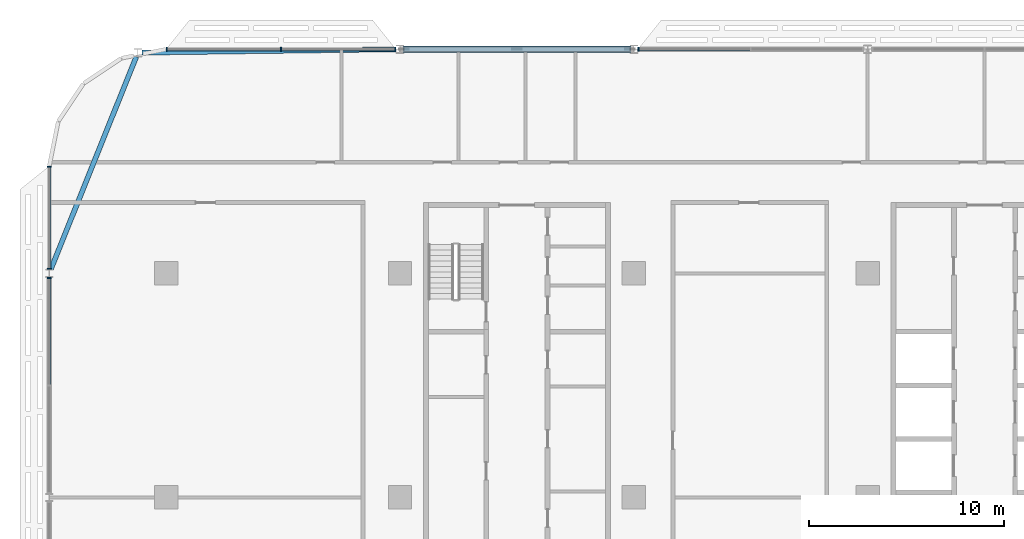
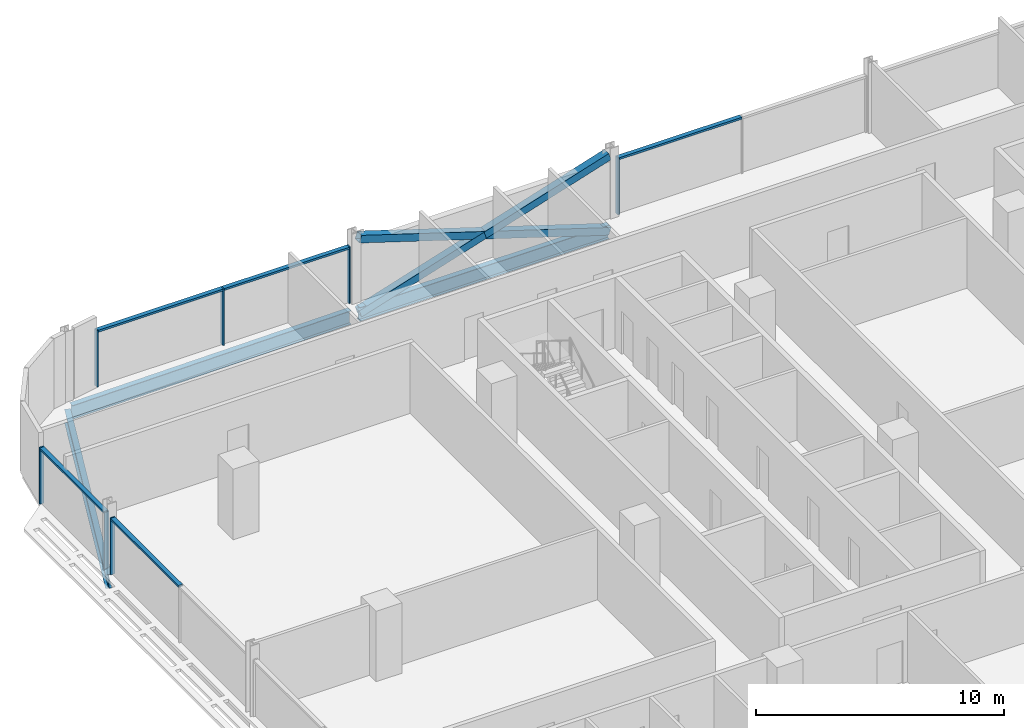
# One storey, part 6 of 27: 15 members, 3 beams, 4 elements without a shape of their own.
"""IFC4 building model written with IfcOpenShell, lengths in metres."""

from ifc_helpers import new_model, si_unit, direction, frame, origin, origin_2d, place, context, subcontext, project, spatial, rectangle, hollow_rectangle, i_section, extrude, material, material_profile, profile_set, type_object, element, aggregate, save


model = new_model("IFC4")

# Units and contexts
model_context = context("Model", 3, precision=1e-05, world=origin(), true_north=direction((0.0, 1.0)))
body_context = subcontext(model_context, "Body", "Model", "MODEL_VIEW")
ifc_project = project(units=[si_unit("LENGTHUNIT", "METRE"), si_unit("AREAUNIT", "SQUARE_METRE"), si_unit("VOLUMEUNIT", "CUBIC_METRE"), si_unit("PLANEANGLEUNIT", "RADIAN"), si_unit("MASSUNIT", "GRAM", prefix="KILO")], contexts=[model_context])

# Site, building, storey
site_placement = place(None, origin())
site = spatial("IfcSite", under=ifc_project, at=site_placement, CompositionType="ELEMENT")
building_placement = place(site_placement, origin())
building = spatial("IfcBuilding", under=site, at=building_placement, Name="Mahtab Terrace Research Tower", CompositionType="ELEMENT")
storey_placement = place(building_placement, frame((0.0, 0.0, 178.199951171875)))
storey = spatial("IfcBuildingStorey", under=building, at=storey_placement, Name="L42", CompositionType="ELEMENT", Elevation=178.199951171875)

# Members
ifc_material_1 = material(Name="Steel ASTM A500 Gr C", Category="steel")
ifc_material_profile_1 = material_profile(ifc_material_1, hollow_rectangle(XDim=0.355712890625, YDim=0.355712890625, WallThickness=0.015869140625, at=origin_2d()), Name="HSS14X14X5/8")
ifc_profile_set_1 = profile_set([ifc_material_profile_1], Name="Steel ASTM A500 Gr C")
member_type_1 = type_object("IfcMemberType", Name="HSS 14x14x5/8 brace XB141458", PredefinedType="BRACE", material=ifc_profile_set_1)
member_1_placement = place(storey_placement, frame((-18.203125, 23.0, -0.61474609375), z_axis=(-0.953341454971, 0.0, 0.301894137463), x_axis=(0.0, -1.0, 0.0)))
element("IfcMember", 1, at=member_1_placement, inside=storey, type_object=member_type_1, Name="Exoskeleton brace L42 06 a", PredefinedType="BRACE", context=body_context, shape_type="SweptSolid", body=[
    extrude(hollow_rectangle(XDim=0.355712890625, YDim=0.355712890625, WallThickness=0.015869140625, at=origin_2d()), origin(), (0.0, 0.0, 1.0), 12.1611328125),
])
for number, where, z_axis, x_axis, name in (
    (2, (-29.796875, 23.0, -0.61474609375), (0.953341454971, 0.0, 0.301894137463), (0.0, 1.0, 0.0), "Exoskeleton brace L42 06 b1"),
    (3, (-24.0, 23.0, 1.220947265625), (0.953341454971, 0.0, 0.301894137463), (0.0, 1.0, 0.0), "Exoskeleton brace L42 06 b2"),
):
    element("IfcMember", number, at=place(storey_placement, frame(where, z_axis=z_axis, x_axis=x_axis)), inside=storey, type_object=member_type_1, Name=name, PredefinedType="BRACE", context=body_context, shape_type="SweptSolid", body=[
        extrude(hollow_rectangle(XDim=0.355712890625, YDim=0.355712890625, WallThickness=0.015869140625, at=origin_2d()), origin(), (0.0, 0.0, 1.0), 6.08056640625),
    ])

# Curtain wall, member
ifc_material_2 = material(Name="Laboratory ribbon curtain wall")
curtain_wall_type = type_object("IfcCurtainWallType", Name="Laboratory ribbon curtain wall", PredefinedType="NOTDEFINED", material=ifc_material_2)
curtain_wall_1_placement = place(storey_placement, origin())
curtain_wall_1 = element("IfcCurtainWall", 4, at=curtain_wall_1_placement, inside=storey, type_object=curtain_wall_type, Name="EN.L42.3.7", PredefinedType="NOTDEFINED")
ifc_material_3 = material(Name="Natural anodised aluminium", Category="aluminium")
ifc_material_profile_2 = material_profile(ifc_material_3, rectangle(XDim=0.199951171875, YDim=0.06494140625, at=origin_2d()), Name="MULLION 65x200")
ifc_profile_set_2 = profile_set([ifc_material_profile_2], Name="Natural anodised aluminium")
member_type_2 = type_object("IfcMemberType", Name="Laboratory ribbon curtain wall mullion", PredefinedType="MULLION", material=ifc_profile_set_2)
member_2_placement = place(storey_placement, frame((-17.759521484375, 23.0, 0.0), z_axis=(0.0, 0.0, 1.0), x_axis=(0.0, -1.0, 0.0)))
member_2 = element("IfcMember", 5, at=member_2_placement, type_object=member_type_2, Name="CWL-5 mullion 3", PredefinedType="MULLION", context=body_context, shape_type="SweptSolid", body=[
    extrude(rectangle(XDim=0.199951171875, YDim=0.06494140625, at=origin_2d()), origin(), (0.0, 0.0, 1.0), 2.78173828125),
])

# Curtain wall, members
curtain_wall_2_placement = place(storey_placement, origin())
curtain_wall_2 = element("IfcCurtainWall", 6, at=curtain_wall_2_placement, inside=storey, type_object=curtain_wall_type, Name="EN.L42.3.9", PredefinedType="NOTDEFINED")
member_3_placement = place(storey_placement, frame((-30.240478515625, 23.0, 0.0), z_axis=(0.0, 0.0, 1.0), x_axis=(0.0, -1.0, 0.0)))
member_3 = element("IfcMember", 7, at=member_3_placement, type_object=member_type_2, Name="CWL-5 mullion 1", PredefinedType="MULLION", context=body_context, shape_type="SweptSolid", body=[
    extrude(rectangle(XDim=0.199951171875, YDim=0.06494140625, at=origin_2d()), origin(), (0.0, 0.0, 1.0), 2.78173828125),
])
member_4_placement = place(storey_placement, frame((-36.10400390625, 23.0, 0.0), z_axis=(0.0, 0.0, 1.0), x_axis=(0.0, -1.0, 0.0)))
member_4 = element("IfcMember", 8, at=member_4_placement, type_object=member_type_2, Name="CWL-5 mullion 2", PredefinedType="MULLION", context=body_context, shape_type="SweptSolid", body=[
    extrude(rectangle(XDim=0.199951171875, YDim=0.06494140625, at=origin_2d()), origin(), (0.0, 0.0, 1.0), 2.78173828125),
])
member_5_placement = place(storey_placement, frame((-41.967529296875, 23.0, 0.0), z_axis=(0.0, 0.0, 1.0), x_axis=(0.0, -1.0, 0.0)))
member_5 = element("IfcMember", 9, at=member_5_placement, type_object=member_type_2, Name="CWL-5 mullion 3", PredefinedType="MULLION", context=body_context, shape_type="SweptSolid", body=[
    extrude(rectangle(XDim=0.199951171875, YDim=0.06494140625, at=origin_2d()), origin(), (0.0, 0.0, 1.0), 2.78173828125),
])

curtain_wall_3_placement = place(storey_placement, origin())
curtain_wall_3 = element("IfcCurtainWall", 10, at=curtain_wall_3_placement, inside=storey, type_object=curtain_wall_type, Name="EN.L42.8.15", PredefinedType="NOTDEFINED")
member_6_placement = place(storey_placement, frame((-48.0, 16.967529296875, 0.0), z_axis=(0.0, 0.0, 1.0), x_axis=(1.0, 0.0, 0.0)))
member_6 = element("IfcMember", 11, at=member_6_placement, type_object=member_type_2, Name="CWL-5 mullion 1", PredefinedType="MULLION", context=body_context, shape_type="SweptSolid", body=[
    extrude(rectangle(XDim=0.199951171875, YDim=0.06494140625, at=origin_2d()), origin(), (0.0, 0.0, 1.0), 2.78173828125),
])
member_7_placement = place(storey_placement, frame((-48.0, 11.740478515625, 0.0), z_axis=(0.0, 0.0, 1.0), x_axis=(1.0, 0.0, 0.0)))
member_7 = element("IfcMember", 12, at=member_7_placement, type_object=member_type_2, Name="CWL-5 mullion 2", PredefinedType="MULLION", context=body_context, shape_type="SweptSolid", body=[
    extrude(rectangle(XDim=0.199951171875, YDim=0.06494140625, at=origin_2d()), origin(), (0.0, 0.0, 1.0), 2.78173828125),
])

# Curtain wall, member
curtain_wall_4_placement = place(storey_placement, origin())
curtain_wall_4 = element("IfcCurtainWall", 13, at=curtain_wall_4_placement, inside=storey, type_object=curtain_wall_type, Name="EN.L42.8.16", PredefinedType="NOTDEFINED")
member_8_placement = place(storey_placement, frame((-48.0, 11.259521484375, 0.0), z_axis=(0.0, 0.0, 1.0), x_axis=(1.0, 0.0, 0.0)))
member_8 = element("IfcMember", 14, at=member_8_placement, type_object=member_type_2, Name="CWL-5 mullion 1", PredefinedType="MULLION", context=body_context, shape_type="SweptSolid", body=[
    extrude(rectangle(XDim=0.199951171875, YDim=0.06494140625, at=origin_2d()), origin(), (0.0, 0.0, 1.0), 2.78173828125),
])

# Member
ifc_material_profile_3 = material_profile(ifc_material_3, rectangle(XDim=0.199951171875, YDim=0.10009765625, at=origin_2d()), Name="TRANSOM 100x200")
ifc_profile_set_3 = profile_set([ifc_material_profile_3], Name="Natural anodised aluminium")
member_type_3 = type_object("IfcMemberType", Name="Laboratory ribbon curtain wall transom", PredefinedType="USERDEFINED", material=ifc_profile_set_3)
member_9_placement = place(storey_placement, frame((-12.032470703125, 23.0, 2.73193359375), z_axis=(-1.0, 0.0, 0.0), x_axis=(0.0, -1.0, 0.0)))
member_9 = element("IfcMember", 15, at=member_9_placement, type_object=member_type_3, Name="CWL-5 transom 2", ObjectType="TRANSOM", PredefinedType="USERDEFINED", context=body_context, shape_type="SweptSolid", body=[
    extrude(rectangle(XDim=0.199951171875, YDim=0.10009765625, at=origin_2d()), origin(), (0.0, 0.0, 1.0), 5.694580078125),
])

aggregate(curtain_wall_1, [member_2, member_9])

member_10_placement = place(storey_placement, frame((-30.27294921875, 23.0, 2.73193359375), z_axis=(-1.0, 0.0, 0.0), x_axis=(0.0, -1.0, 0.0)))
member_10 = element("IfcMember", 16, at=member_10_placement, type_object=member_type_3, Name="CWL-5 transom 1", ObjectType="TRANSOM", PredefinedType="USERDEFINED", context=body_context, shape_type="SweptSolid", body=[
    extrude(rectangle(XDim=0.199951171875, YDim=0.10009765625, at=origin_2d()), origin(), (0.0, 0.0, 1.0), 5.798583984375),
])

member_11_placement = place(storey_placement, frame((-36.136474609375, 23.0, 2.73193359375), z_axis=(-1.0, 0.0, 0.0), x_axis=(0.0, -1.0, 0.0)))
member_11 = element("IfcMember", 17, at=member_11_placement, type_object=member_type_3, Name="CWL-5 transom 2", ObjectType="TRANSOM", PredefinedType="USERDEFINED", context=body_context, shape_type="SweptSolid", body=[
    extrude(rectangle(XDim=0.199951171875, YDim=0.10009765625, at=origin_2d()), origin(), (0.0, 0.0, 1.0), 5.798583984375),
])

aggregate(curtain_wall_2, [member_3, member_4, member_5, member_10, member_11])

member_12_placement = place(storey_placement, frame((-48.0, 16.93505859375, 2.73193359375), z_axis=(0.0, -1.0, 0.0), x_axis=(1.0, 0.0, 0.0)))
member_12 = element("IfcMember", 18, at=member_12_placement, type_object=member_type_3, Name="CWL-5 transom 1", ObjectType="TRANSOM", PredefinedType="USERDEFINED", context=body_context, shape_type="SweptSolid", body=[
    extrude(rectangle(XDim=0.199951171875, YDim=0.10009765625, at=origin_2d()), origin(), (0.0, 0.0, 1.0), 5.162109375),
])

aggregate(curtain_wall_3, [member_6, member_7, member_12])

member_13_placement = place(storey_placement, frame((-48.0, 11.22705078125, 2.73193359375), z_axis=(0.0, -1.0, 0.0), x_axis=(1.0, 0.0, 0.0)))
member_13 = element("IfcMember", 19, at=member_13_placement, type_object=member_type_3, Name="CWL-5 transom 1", ObjectType="TRANSOM", PredefinedType="USERDEFINED", context=body_context, shape_type="SweptSolid", body=[
    extrude(rectangle(XDim=0.199951171875, YDim=0.10009765625, at=origin_2d()), origin(), (0.0, 0.0, 1.0), 5.444580078125),
])

aggregate(curtain_wall_4, [member_8, member_13])

# Beams
ifc_material_4 = material(Name="Steel ASTM A992 Gr 50", Category="steel")
ifc_material_profile_4 = material_profile(ifc_material_4, i_section(OverallWidth=0.25390625, OverallDepth=0.67822265625, WebThickness=0.01171875, FlangeThickness=0.016357421875, at=origin_2d()), Name="W27X84")
ifc_profile_set_4 = profile_set([ifc_material_profile_4], Name="Steel ASTM A992 Gr 50")
beam_type = type_object("IfcBeamType", Name="W27x84 beam BS2784", PredefinedType="BEAM", material=ifc_profile_set_4)
beam_1_placement = place(storey_placement, frame((-18.203125, 23.0, -0.678955078125), z_axis=(-1.0, 0.0, 0.0), x_axis=(0.0, -1.0, 0.0)))
element("IfcBeam", 20, at=beam_1_placement, inside=storey, type_object=beam_type, Name="Spandrel beam L42 06", PredefinedType="BEAM", context=body_context, shape_type="SweptSolid", body=[
    extrude(i_section(OverallWidth=0.25390625, OverallDepth=0.67822265625, WebThickness=0.01171875, FlangeThickness=0.016357421875, at=origin_2d()), origin(), (0.0, 0.0, 1.0), 11.59375),
])
beam_2_placement = place(storey_placement, frame((-30.203125, 22.997314453125, -0.678955078125), z_axis=(-0.999912429007, -0.013233832294, 0.0), x_axis=(0.013233832294, -0.999912429007, 0.0)))
element("IfcBeam", 21, at=beam_2_placement, inside=storey, type_object=beam_type, Name="Spandrel beam L42 07", PredefinedType="BEAM", context=body_context, shape_type="SweptSolid", body=[
    extrude(i_section(OverallWidth=0.25390625, OverallDepth=0.67822265625, WebThickness=0.01171875, FlangeThickness=0.016357421875, at=origin_2d()), origin(), (0.0, 0.0, 1.0), 13.04296875),
])
beam_3_placement = place(storey_placement, frame((-43.53173828125, 22.61376953125, -0.678955078125), z_axis=(-0.373026712357, -0.927820603278, 0.0), x_axis=(0.927820603278, -0.373026712357, 0.0)))
element("IfcBeam", 22, at=beam_3_placement, inside=storey, type_object=beam_type, Name="Spandrel beam L42 08", PredefinedType="BEAM", context=body_context, shape_type="SweptSolid", body=[
    extrude(i_section(OverallWidth=0.25390625, OverallDepth=0.67822265625, WebThickness=0.01171875, FlangeThickness=0.016357421875, at=origin_2d()), origin(), (0.0, 0.0, 1.0), 11.75390625),
])

save(model, "model.ifc")
